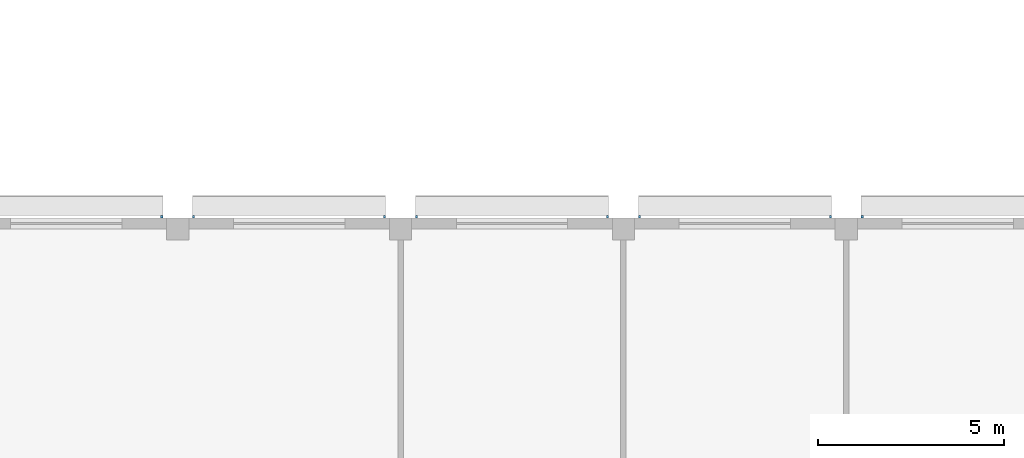
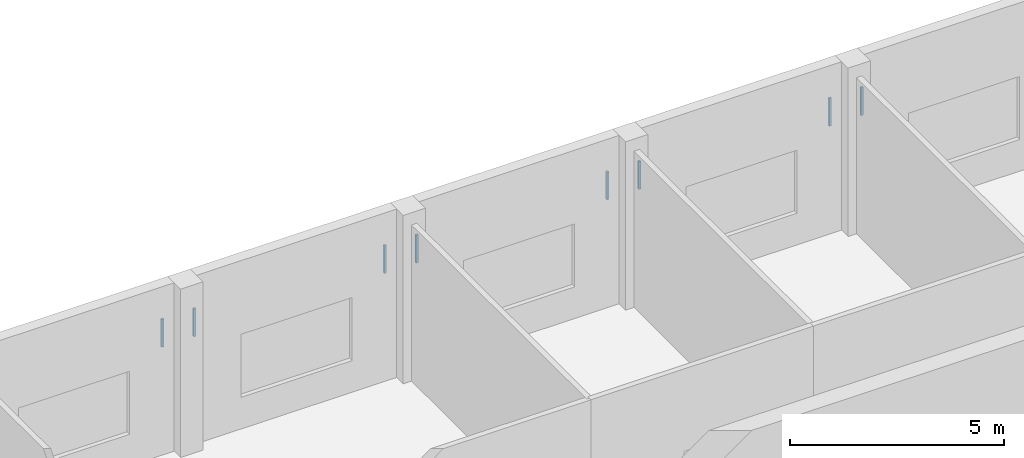
# One storey, part 32 of 45: 8 discrete accessories.
"""IFC4 building model written with IfcOpenShell, lengths in metres."""

from ifc_helpers import new_model, si_unit, direction, frame, origin, origin_2d, place, context, subcontext, project, spatial, rectangle, extrude, material, type_object, element, save


model = new_model("IFC4")

# Units and contexts
model_context = context("Model", 3, precision=1e-05, world=origin(), true_north=direction((0.0, 1.0)))
body_context = subcontext(model_context, "Body", "Model", "MODEL_VIEW")
ifc_project = project(units=[si_unit("LENGTHUNIT", "METRE"), si_unit("AREAUNIT", "SQUARE_METRE"), si_unit("VOLUMEUNIT", "CUBIC_METRE"), si_unit("PLANEANGLEUNIT", "RADIAN"), si_unit("MASSUNIT", "GRAM", prefix="KILO")], contexts=[model_context])

# Site, building, storey
site_placement = place(None, origin())
site = spatial("IfcSite", under=ifc_project, at=site_placement, CompositionType="ELEMENT")
building_placement = place(site_placement, origin())
building = spatial("IfcBuilding", under=site, at=building_placement, Name="Nakaniwa Court", CompositionType="ELEMENT")
storey_placement = place(building_placement, frame((0.0, 0.0, 6.60009765625)))
storey = spatial("IfcBuildingStorey", under=building, at=storey_placement, Name="L01", CompositionType="ELEMENT", Elevation=6.60009765625)

# Discrete accessories
ifc_material = material(Name="Black powder-coated steel bracket S275", Category="steel")
discrete_accessory_type = type_object("IfcDiscreteAccessoryType", Name="Hall black metal louvre bracket", PredefinedType="BRACKET", material=ifc_material)
for number, where, z_axis, x_axis, name in (
    (1, (175.570068359375, 104.030029296875, 2.828125), (0.0, 0.0, 1.0), (1.0, 0.0, 0.0), "Louvre bracket L01 013.2"),
    (2, (176.429931640625, 104.030029296875, 2.828125), (0.0, 0.0, 1.0), (1.0, 0.0, 0.0), "Louvre bracket L01 014.1"),
    (3, (181.570068359375, 104.030029296875, 2.828125), (0.0, 0.0, 1.0), (1.0, 0.0, 0.0), "Louvre bracket L01 014.2"),
    (4, (182.429931640625, 104.030029296875, 2.828125), (0.0, 0.0, 1.0), (1.0, 0.0, 0.0), "Louvre bracket L01 015.1"),
    (5, (187.570068359375, 104.030029296875, 2.828125), (0.0, 0.0, 1.0), (1.0, 0.0, 0.0), "Louvre bracket L01 015.2"),
    (6, (188.429931640625, 104.030029296875, 2.828125), (0.0, 0.0, 1.0), (1.0, 0.0, 0.0), "Louvre bracket L01 016.1"),
    (7, (193.570068359375, 104.030029296875, 2.828125), (0.0, 0.0, 1.0), (1.0, 0.0, 0.0), "Louvre bracket L01 016.2"),
    (8, (194.429931640625, 104.030029296875, 2.828125), (0.0, 0.0, 1.0), (1.0, 0.0, 0.0), "Louvre bracket L01 017.1"),
):
    element("IfcDiscreteAccessory", number, at=place(storey_placement, frame(where, z_axis=z_axis, x_axis=x_axis)), inside=storey, type_object=discrete_accessory_type, Name=name, PredefinedType="BRACKET", context=body_context, shape_type="SweptSolid", body=[
        extrude(rectangle(XDim=0.06005859375, YDim=0.06005859375, at=origin_2d()), origin(), (0.0, 0.0, 1.0), 0.793212890625),
    ])

save(model, "model.ifc")
